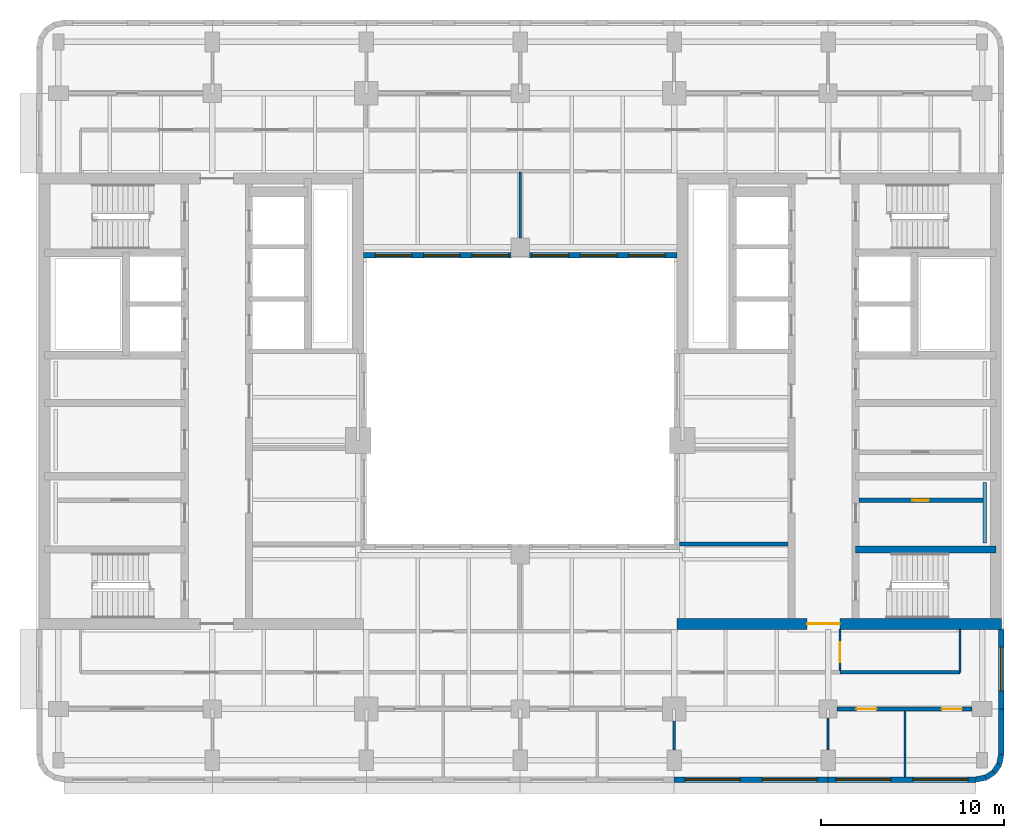
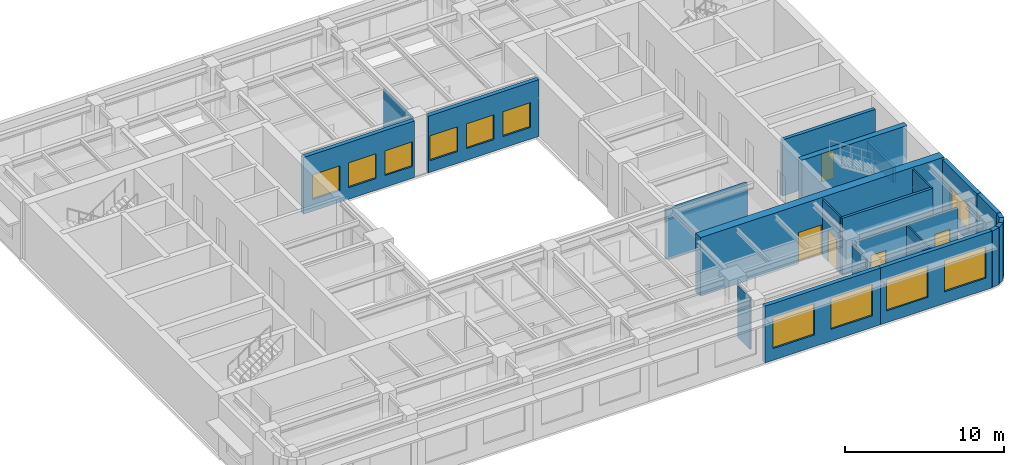
# One storey, part 5 of 11: 23 walls, 11 windows, 5 doors, 16 openings.
"""IFC4 building model written with IfcOpenShell, lengths in metres."""

from ifc_helpers import new_model, si_unit, direction, frame, frame_2d, origin, place, context, subcontext, project, spatial, rectangle, extrude, material, layer, layer_set, type_object, element, fill, save


model = new_model("IFC4")

# Units and contexts
model_context = context("Model", 3, precision=1e-05, world=origin(), true_north=direction((0.0, 1.0)))
body_context = subcontext(model_context, "Body", "Model", "MODEL_VIEW")
ifc_project = project(units=[si_unit("LENGTHUNIT", "METRE"), si_unit("AREAUNIT", "SQUARE_METRE"), si_unit("VOLUMEUNIT", "CUBIC_METRE"), si_unit("PLANEANGLEUNIT", "RADIAN"), si_unit("MASSUNIT", "GRAM", prefix="KILO")], contexts=[model_context])

# Site, building, storey
site_placement = place(None, origin())
site = spatial("IfcSite", under=ifc_project, at=site_placement, CompositionType="ELEMENT")
building_placement = place(site_placement, origin())
building = spatial("IfcBuilding", under=site, at=building_placement, Name="Claustro Exchange Tower", CompositionType="ELEMENT")
storey_placement = place(building_placement, frame((0.0, 0.0, 263.699951171875)))
storey = spatial("IfcBuildingStorey", under=building, at=storey_placement, Name="L60", CompositionType="ELEMENT", Elevation=263.699951171875)

# Walls
ifc_material_1 = material(Name="Laminated glass in aluminium frame", Category="aluminium")
ifc_layer_1 = layer(ifc_material_1, 0.1201171875)
ifc_layer_set_1 = layer_set([ifc_layer_1], Name="Laminated glass in aluminium frame")
wall_type_1 = type_object("IfcWallType", Name="P2 120 glazed partition", PredefinedType="PARTITIONING", material=ifc_layer_set_1)
wall_1_placement = place(storey_placement, frame((33.60009765625, 6.14892578125, 0.0), z_axis=(0.0, 0.0, 1.0), x_axis=(0.0, 1.0, 0.0)))
element("IfcWall", 1, at=wall_1_placement, inside=storey, type_object=wall_type_1, Name="Partition P2 L60", PredefinedType="PARTITIONING", context=body_context, shape_type="SweptSolid", body=[
    extrude(rectangle(XDim=1.60205078125, YDim=0.1201171875, at=frame_2d((0.801025390625, 0.0))), origin(), (0.0, 0.0, 1.0), 3.989990234375),
])
wall_2_placement = place(storey_placement, frame((42.0, 6.14892578125, 0.0), z_axis=(0.0, 0.0, 1.0), x_axis=(0.0, 1.0, 0.0)))
element("IfcWall", 2, at=wall_2_placement, inside=storey, type_object=wall_type_1, Name="Partition P2 L60", PredefinedType="PARTITIONING", context=body_context, shape_type="SweptSolid", body=[
    extrude(rectangle(XDim=1.751953125, YDim=0.1201171875, at=frame_2d((0.8759765625, 0.0))), origin(), (0.0, 0.0, 1.0), 3.989990234375),
])
wall_3_placement = place(storey_placement, frame((46.199951171875, 4.699951171875, 0.0), z_axis=(0.0, 0.0, 1.0), x_axis=(0.0, 1.0, 0.0)))
element("IfcWall", 3, at=wall_3_placement, inside=storey, type_object=wall_type_1, Name="Partition P2 L60", PredefinedType="PARTITIONING", context=body_context, shape_type="SweptSolid", body=[
    extrude(rectangle(XDim=3.60205078125, YDim=0.1201171875, at=frame_2d((1.801025390625, 0.0))), origin(), (0.0, 0.0, 1.0), 3.800048828125),
])

# Wall, opening, door
wall_4_placement = place(storey_placement, frame((42.64990234375, 10.498046875, 0.0), z_axis=(0.0, 0.0, 1.0), x_axis=(0.0, 1.0, 0.0)))
wall_4 = element("IfcWall", 4, at=wall_4_placement, inside=storey, type_object=wall_type_1, Name="Partition P2 L60", PredefinedType="PARTITIONING", context=body_context, shape_type="SweptSolid", body=[
    extrude(rectangle(XDim=2.25390625, YDim=0.1201171875, at=frame_2d((1.126953125, 0.0))), origin(), (0.0, 0.0, 1.0), 4.35009765625),
])
opening_1_placement = place(wall_4_placement, frame((0.451904296875, 0.0, 0.0)))
opening_1 = element("IfcOpeningElement", 5, at=opening_1_placement, cuts=wall_4, Name="Opening D8", PredefinedType="OPENING", context=body_context, shape_type="SweptSolid", body=[
    extrude(rectangle(XDim=1.10009765625, YDim=2.39990234375, at=frame_2d((0.550048828125, 1.199951171875))), frame((0.0, 0.070068359375, 0.0), z_axis=(0.0, -1.0, 0.0), x_axis=(1.0, 0.0, 0.0)), (0.0, 0.0, 1.0), 0.14013671875),
])
ifc_material_2 = material(Name="Timber door, walnut veneer", Category="wood")
door_type_1 = type_object("IfcDoorType", Name="D8 1100 x 2400 executive door", OperationType="SINGLE_SWING_LEFT", PredefinedType="DOOR", material=ifc_material_2)
door_1_placement = place(opening_1_placement, frame((1.10009765625, 0.0, 0.0), z_axis=(0.0, 0.0, 1.0), x_axis=(-1.0, 0.0, 0.0)))
door_1 = element("IfcDoor", 6, at=door_1_placement, inside=storey, type_object=door_type_1, Name="Door D8 L60", OperationType="SINGLE_SWING_RIGHT", OverallHeight=2.39990234375, OverallWidth=1.10009765625, PredefinedType="DOOR", context=body_context, shape_type="SweptSolid", body=[
    extrude(rectangle(XDim=1.10009765625, YDim=2.39990234375, at=frame_2d((0.550048828125, 1.199951171875))), frame((0.0, 0.02490234375, 0.0), z_axis=(0.0, -1.0, 0.0), x_axis=(1.0, 0.0, 0.0)), (0.0, 0.0, 1.0), 0.050048828125),
])
fill(opening_1, door_1)

# Walls
wall_5_placement = place(storey_placement, frame((49.199951171875, 10.39990234375, 0.0), z_axis=(0.0, 0.0, 1.0), x_axis=(0.0, 1.0, 0.0)))
element("IfcWall", 7, at=wall_5_placement, inside=storey, type_object=wall_type_1, Name="Partition P2 L60", PredefinedType="PARTITIONING", context=body_context, shape_type="SweptSolid", body=[
    extrude(rectangle(XDim=2.35205078125, YDim=0.1201171875, at=frame_2d((1.176025390625, 0.0))), origin(), (0.0, 0.0, 1.0), 4.35009765625),
])
wall_6_placement = place(storey_placement, frame((25.199951171875, 34.09912109375, 0.0), z_axis=(0.0, 0.0, 1.0), x_axis=(0.0, 1.0, 0.0)))
element("IfcWall", 8, at=wall_6_placement, inside=storey, type_object=wall_type_1, Name="Partition P2 L60", PredefinedType="PARTITIONING", context=body_context, shape_type="SweptSolid", body=[
    extrude(rectangle(XDim=3.602783203125, YDim=0.1201171875, at=frame_2d((1.80126953125, 0.0))), origin(), (0.0, 0.0, 1.0), 3.800048828125),
])
ifc_material_3 = material(Name="Twin-skin gypsum board on steel studs, mineral wool", Category="steel")
ifc_layer_2 = layer(ifc_material_3, 0.199951171875)
ifc_layer_set_2 = layer_set([ifc_layer_2], Name="Twin-skin gypsum board on steel studs, mineral wool")
wall_type_2 = type_object("IfcWallType", Name="P3 200 acoustic partition", PredefinedType="PARTITIONING", material=ifc_layer_set_2)
wall_7_placement = place(storey_placement, frame((33.89794921875, 17.39990234375, 0.0), z_axis=(0.0, 0.0, 1.0), x_axis=(1.0, 0.0, 0.0)))
element("IfcWall", 9, at=wall_7_placement, inside=storey, type_object=wall_type_2, Name="Partition P3 L60", PredefinedType="PARTITIONING", context=body_context, shape_type="SweptSolid", body=[
    extrude(rectangle(XDim=5.904052734375, YDim=0.199951171875, at=frame_2d((2.9521484375, 0.0))), origin(), (0.0, 0.0, 1.0), 3.800048828125),
])

# Wall, openings, doors
wall_8_placement = place(storey_placement, frame((42.4990234375, 8.39990234375, 0.0), z_axis=(0.0, 0.0, 1.0), x_axis=(1.0, 0.0, 0.0)))
wall_8 = element("IfcWall", 10, at=wall_8_placement, inside=storey, type_object=wall_type_2, Name="Partition P3 L60", PredefinedType="PARTITIONING", context=body_context, shape_type="SweptSolid", body=[
    extrude(rectangle(XDim=7.35205078125, YDim=0.199951171875, at=frame_2d((3.676025390625, 0.0))), origin(), (0.0, 0.0, 1.0), 3.800048828125),
])
opening_2_placement = place(wall_8_placement, frame((1.051025390625, 0.0, 0.0)))
opening_2 = element("IfcOpeningElement", 11, at=opening_2_placement, cuts=wall_8, Name="Opening D8", PredefinedType="OPENING", context=body_context, shape_type="SweptSolid", body=[
    extrude(rectangle(XDim=1.10009765625, YDim=2.39990234375, at=frame_2d((0.550048828125, 1.199951171875))), frame((0.0, 0.10986328125, 0.0), z_axis=(0.0, -1.0, 0.0), x_axis=(1.0, 0.0, 0.0)), (0.0, 0.0, 1.0), 0.219970703125),
])
opening_3_placement = place(wall_8_placement, frame((5.700927734375, 0.0, 0.0)))
opening_3 = element("IfcOpeningElement", 12, at=opening_3_placement, cuts=wall_8, Name="Opening D8", PredefinedType="OPENING", context=body_context, shape_type="SweptSolid", body=[
    extrude(rectangle(XDim=1.10009765625, YDim=2.39990234375, at=frame_2d((0.550048828125, 1.199951171875))), frame((0.0, 0.10986328125, 0.0), z_axis=(0.0, -1.0, 0.0), x_axis=(1.0, 0.0, 0.0)), (0.0, 0.0, 1.0), 0.219970703125),
])
door_2_placement = place(opening_2_placement, frame((1.10009765625, 0.0, 0.0), z_axis=(0.0, 0.0, 1.0), x_axis=(-1.0, 0.0, 0.0)))
door_2 = element("IfcDoor", 13, at=door_2_placement, inside=storey, type_object=door_type_1, Name="Door D8 L60", OperationType="SINGLE_SWING_LEFT", OverallHeight=2.39990234375, OverallWidth=1.10009765625, PredefinedType="DOOR", context=body_context, shape_type="SweptSolid", body=[
    extrude(rectangle(XDim=1.10009765625, YDim=2.39990234375, at=frame_2d((0.550048828125, 1.199951171875))), frame((0.0, 0.02490234375, 0.0), z_axis=(0.0, -1.0, 0.0), x_axis=(1.0, 0.0, 0.0)), (0.0, 0.0, 1.0), 0.050048828125),
])
fill(opening_2, door_2)
door_3_placement = place(opening_3_placement, frame((1.10009765625, 0.0, 0.0), z_axis=(0.0, 0.0, 1.0), x_axis=(-1.0, 0.0, 0.0)))
door_3 = element("IfcDoor", 14, at=door_3_placement, inside=storey, type_object=door_type_1, Name="Door D8 L60", OperationType="SINGLE_SWING_RIGHT", OverallHeight=2.39990234375, OverallWidth=1.10009765625, PredefinedType="DOOR", context=body_context, shape_type="SweptSolid", body=[
    extrude(rectangle(XDim=1.10009765625, YDim=2.39990234375, at=frame_2d((0.550048828125, 1.199951171875))), frame((0.0, 0.02490234375, 0.0), z_axis=(0.0, -1.0, 0.0), x_axis=(1.0, 0.0, 0.0)), (0.0, 0.0, 1.0), 0.050048828125),
])
fill(opening_3, door_3)

# Wall
wall_9_placement = place(storey_placement, frame((42.64794921875, 10.39990234375, 0.0), z_axis=(0.0, 0.0, 1.0), x_axis=(1.0, 0.0, 0.0)))
element("IfcWall", 15, at=wall_9_placement, inside=storey, type_object=wall_type_2, Name="Partition P3 L60", PredefinedType="PARTITIONING", context=body_context, shape_type="SweptSolid", body=[
    extrude(rectangle(XDim=6.552001953125, YDim=0.199951171875, at=frame_2d((3.27587890625, 0.0))), origin(), (0.0, 0.0, 1.0), 4.35009765625),
])

# Wall, opening, door
ifc_material_4 = material(Name="Concrete blockwork, rendered", Category="masonry")
ifc_layer_3 = layer(ifc_material_4, 0.25)
ifc_layer_set_3 = layer_set([ifc_layer_3], Name="Concrete blockwork, rendered")
wall_type_3 = type_object("IfcWallType", Name="P4 250 blockwork wall", PredefinedType="PARTITIONING", material=ifc_layer_set_3)
wall_10_placement = place(storey_placement, frame((43.699951171875, 19.800048828125, 0.0), z_axis=(0.0, 0.0, 1.0), x_axis=(1.0, 0.0, 0.0)))
wall_10 = element("IfcWall", 16, at=wall_10_placement, inside=storey, type_object=wall_type_3, Name="Partition P4 L60", PredefinedType="PARTITIONING", context=body_context, shape_type="SweptSolid", body=[
    extrude(rectangle(XDim=6.75, YDim=0.25, at=frame_2d((3.375, 0.0))), origin(), (0.0, 0.0, 1.0), 4.300048828125),
])
opening_4_placement = place(wall_10_placement, frame((2.89990234375, 0.0, 0.0)))
opening_4 = element("IfcOpeningElement", 17, at=opening_4_placement, cuts=wall_10, Name="Opening D5", PredefinedType="OPENING", context=body_context, shape_type="SweptSolid", body=[
    extrude(rectangle(XDim=0.89990234375, YDim=2.199951171875, at=frame_2d((0.449951171875, 1.10009765625))), frame((0.0, 0.135009765625, 0.0), z_axis=(0.0, -1.0, 0.0), x_axis=(1.0, 0.0, 0.0)), (0.0, 0.0, 1.0), 0.27001953125),
])
ifc_material_5 = material(Name="Steel door, painted", Category="steel")
door_type_2 = type_object("IfcDoorType", Name="D5 900 x 2200 store door", OperationType="SINGLE_SWING_LEFT", PredefinedType="DOOR", material=ifc_material_5)
door_4_placement = place(opening_4_placement, origin())
door_4 = element("IfcDoor", 18, at=door_4_placement, inside=storey, type_object=door_type_2, Name="Store door D5 L60", OperationType="SINGLE_SWING_RIGHT", OverallHeight=2.199951171875, OverallWidth=0.89990234375, PredefinedType="DOOR", context=body_context, shape_type="SweptSolid", body=[
    extrude(rectangle(XDim=0.89990234375, YDim=2.199951171875, at=frame_2d((0.449951171875, 1.10009765625))), frame((0.0, 0.02490234375, 0.0), z_axis=(0.0, -1.0, 0.0), x_axis=(1.0, 0.0, 0.0)), (0.0, 0.0, 1.0), 0.050048828125),
])
fill(opening_4, door_4)

# Wall, openings, windows
ifc_material_6 = material(Name="Concrete HA-40 (C40/50), precast, white cement, acid-etched", Category="concrete")
ifc_layer_4 = layer(ifc_material_6, 0.300048828125)
ifc_layer_set_4 = layer_set([ifc_layer_4], Name="Concrete HA-40 (C40/50), precast, white cement, acid-etched")
wall_type_4 = type_object("IfcWallType", Name="PC1 300 precast concrete pier panel", PredefinedType="SOLIDWALL", material=ifc_layer_set_4)
wall_11_placement = place(storey_placement, frame((50.085205078125, 4.550048828125, 0.0), z_axis=(0.0, 0.0, 1.0), x_axis=(-1.0, 0.0, 0.0)))
wall_11 = element("IfcWall", 19, at=wall_11_placement, inside=storey, type_object=wall_type_4, Name="Precast pier panel PC1 L60", PredefinedType="SOLIDWALL", context=body_context, shape_type="SweptSolid", body=[
    extrude(rectangle(XDim=8.085205078125, YDim=0.300048828125, at=frame_2d((4.04248046875, 0.0))), origin(), (0.0, 0.0, 1.0), 4.35009765625),
])
opening_5_placement = place(wall_11_placement, frame((0.442626953125, 0.0, 0.89990234375)))
opening_5 = element("IfcOpeningElement", 20, at=opening_5_placement, cuts=wall_11, Name="Opening W3", PredefinedType="OPENING", context=body_context, shape_type="SweptSolid", body=[
    extrude(rectangle(XDim=3.0, YDim=2.39990234375, at=frame_2d((1.5, 1.199951171875))), frame((0.0, 0.159912109375, 0.0), z_axis=(0.0, -1.0, 0.0), x_axis=(1.0, 0.0, 0.0)), (0.0, 0.0, 1.0), 0.320068359375),
])
opening_6_placement = place(wall_11_placement, frame((4.642578125, 0.0, 0.89990234375)))
opening_6 = element("IfcOpeningElement", 21, at=opening_6_placement, cuts=wall_11, Name="Opening W3", PredefinedType="OPENING", context=body_context, shape_type="SweptSolid", body=[
    extrude(rectangle(XDim=3.0, YDim=2.39990234375, at=frame_2d((1.5, 1.199951171875))), frame((0.0, 0.159912109375, 0.0), z_axis=(0.0, -1.0, 0.0), x_axis=(1.0, 0.0, 0.0)), (0.0, 0.0, 1.0), 0.320068359375),
])
ifc_material_7 = material(Name="Aluminium frame, clear double glazing", Category="aluminium")
window_type_1 = type_object("IfcWindowType", Name="W3 3000 x 2400 window", PartitioningType="SINGLE_PANEL", PredefinedType="WINDOW", material=ifc_material_7)
window_1_placement = place(opening_5_placement, origin())
window_1 = element("IfcWindow", 22, at=window_1_placement, inside=storey, type_object=window_type_1, Name="Window W3 L60", OverallHeight=2.39990234375, OverallWidth=3.0, PartitioningType="SINGLE_PANEL", PredefinedType="WINDOW", context=body_context, shape_type="SweptSolid", body=[
    extrude(rectangle(XDim=3.0, YDim=2.39990234375, at=frame_2d((1.5, 1.199951171875))), frame((0.0, 0.030029296875, 0.0), z_axis=(0.0, -1.0, 0.0), x_axis=(1.0, 0.0, 0.0)), (0.0, 0.0, 1.0), 0.06005859375),
])
fill(opening_5, window_1)
window_2_placement = place(opening_6_placement, origin())
window_2 = element("IfcWindow", 23, at=window_2_placement, inside=storey, type_object=window_type_1, Name="Window W3 L60", OverallHeight=2.39990234375, OverallWidth=3.0, PartitioningType="SINGLE_PANEL", PredefinedType="WINDOW", context=body_context, shape_type="SweptSolid", body=[
    extrude(rectangle(XDim=3.0, YDim=2.39990234375, at=frame_2d((1.5, 1.199951171875))), frame((0.0, 0.030029296875, 0.0), z_axis=(0.0, -1.0, 0.0), x_axis=(1.0, 0.0, 0.0)), (0.0, 0.0, 1.0), 0.06005859375),
])
fill(opening_6, window_2)

wall_12_placement = place(storey_placement, frame((42.0, 4.550048828125, 0.0), z_axis=(0.0, 0.0, 1.0), x_axis=(-1.0, 0.0, 0.0)))
wall_12 = element("IfcWall", 24, at=wall_12_placement, inside=storey, type_object=wall_type_4, Name="Precast pier panel PC1 L60", PredefinedType="SOLIDWALL", context=body_context, shape_type="SweptSolid", body=[
    extrude(rectangle(XDim=8.39990234375, YDim=0.300048828125, at=frame_2d((4.199951171875, 0.0))), origin(), (0.0, 0.0, 1.0), 4.35009765625),
])
opening_7_placement = place(wall_12_placement, frame((0.60009765625, 0.0, 0.89990234375)))
opening_7 = element("IfcOpeningElement", 25, at=opening_7_placement, cuts=wall_12, Name="Opening W3", PredefinedType="OPENING", context=body_context, shape_type="SweptSolid", body=[
    extrude(rectangle(XDim=3.0, YDim=2.39990234375, at=frame_2d((1.5, 1.199951171875))), frame((0.0, 0.159912109375, 0.0), z_axis=(0.0, -1.0, 0.0), x_axis=(1.0, 0.0, 0.0)), (0.0, 0.0, 1.0), 0.320068359375),
])
opening_8_placement = place(wall_12_placement, frame((4.800048828125, 0.0, 0.89990234375)))
opening_8 = element("IfcOpeningElement", 26, at=opening_8_placement, cuts=wall_12, Name="Opening W3", PredefinedType="OPENING", context=body_context, shape_type="SweptSolid", body=[
    extrude(rectangle(XDim=3.0, YDim=2.39990234375, at=frame_2d((1.5, 1.199951171875))), frame((0.0, 0.159912109375, 0.0), z_axis=(0.0, -1.0, 0.0), x_axis=(1.0, 0.0, 0.0)), (0.0, 0.0, 1.0), 0.320068359375),
])
window_3_placement = place(opening_7_placement, origin())
window_3 = element("IfcWindow", 27, at=window_3_placement, inside=storey, type_object=window_type_1, Name="Window W3 L60", OverallHeight=2.39990234375, OverallWidth=3.0, PartitioningType="SINGLE_PANEL", PredefinedType="WINDOW", context=body_context, shape_type="SweptSolid", body=[
    extrude(rectangle(XDim=3.0, YDim=2.39990234375, at=frame_2d((1.5, 1.199951171875))), frame((0.0, 0.030029296875, 0.0), z_axis=(0.0, -1.0, 0.0), x_axis=(1.0, 0.0, 0.0)), (0.0, 0.0, 1.0), 0.06005859375),
])
fill(opening_7, window_3)
window_4_placement = place(opening_8_placement, origin())
window_4 = element("IfcWindow", 28, at=window_4_placement, inside=storey, type_object=window_type_1, Name="Window W3 L60", OverallHeight=2.39990234375, OverallWidth=3.0, PartitioningType="SINGLE_PANEL", PredefinedType="WINDOW", context=body_context, shape_type="SweptSolid", body=[
    extrude(rectangle(XDim=3.0, YDim=2.39990234375, at=frame_2d((1.5, 1.199951171875))), frame((0.0, 0.030029296875, 0.0), z_axis=(0.0, -1.0, 0.0), x_axis=(1.0, 0.0, 0.0)), (0.0, 0.0, 1.0), 0.06005859375),
])
fill(opening_8, window_4)

# Wall, opening, window
wall_13_placement = place(storey_placement, frame((51.449951171875, 12.75, 0.0), z_axis=(0.0, 0.0, 1.0), x_axis=(0.0, -1.0, 0.0)))
wall_13 = element("IfcWall", 29, at=wall_13_placement, inside=storey, type_object=wall_type_4, Name="Precast pier panel PC1 L60", PredefinedType="SOLIDWALL", context=body_context, shape_type="SweptSolid", body=[
    extrude(rectangle(XDim=4.35009765625, YDim=0.300048828125, at=frame_2d((2.175048828125, 0.0))), origin(), (0.0, 0.0, 1.0), 4.35009765625),
])
opening_9_placement = place(wall_13_placement, frame((0.97509765625, 0.0, 0.89990234375)))
opening_9 = element("IfcOpeningElement", 30, at=opening_9_placement, cuts=wall_13, Name="Opening W2", PredefinedType="OPENING", context=body_context, shape_type="SweptSolid", body=[
    extrude(rectangle(XDim=2.39990234375, YDim=1.89990234375, at=frame_2d((1.199951171875, 0.949951171875))), frame((0.0, 0.159912109375, 0.0), z_axis=(0.0, -1.0, 0.0), x_axis=(1.0, 0.0, 0.0)), (0.0, 0.0, 1.0), 0.320068359375),
])
ifc_material_8 = material(Name="Aluminium frame, clear double glazing", Category="aluminium")
window_type_2 = type_object("IfcWindowType", Name="W2 2400 x 1900 window", PartitioningType="SINGLE_PANEL", PredefinedType="WINDOW", material=ifc_material_8)
window_5_placement = place(opening_9_placement, origin())
window_5 = element("IfcWindow", 31, at=window_5_placement, inside=storey, type_object=window_type_2, Name="Window W2 L60", OverallHeight=1.89990234375, OverallWidth=2.39990234375, PartitioningType="SINGLE_PANEL", PredefinedType="WINDOW", context=body_context, shape_type="SweptSolid", body=[
    extrude(rectangle(XDim=2.39990234375, YDim=1.89990234375, at=frame_2d((1.199951171875, 0.949951171875))), frame((0.0, 0.030029296875, 0.0), z_axis=(0.0, -1.0, 0.0), x_axis=(1.0, 0.0, 0.0)), (0.0, 0.0, 1.0), 0.06005859375),
])
fill(opening_9, window_5)

# Walls
wall_14_placement = place(storey_placement, frame((51.449951171875, 8.39990234375, 0.0), z_axis=(0.0, 0.0, 1.0), x_axis=(0.0, -1.0, 0.0)))
element("IfcWall", 32, at=wall_14_placement, inside=storey, type_object=wall_type_4, Name="Precast pier panel PC1 L60", PredefinedType="SOLIDWALL", context=body_context, shape_type="SweptSolid", body=[
    extrude(rectangle(XDim=2.485107421875, YDim=0.300048828125, at=frame_2d((1.24267578125, 0.0))), origin(), (0.0, 0.0, 1.0), 4.35009765625),
])
wall_15_placement = place(storey_placement, frame((51.449951171875, 5.914794921875, 0.0), z_axis=(0.0, 0.0, 1.0), x_axis=(-0.195073962632, -0.980788534345, 0.0)))
element("IfcWall", 33, at=wall_15_placement, inside=storey, type_object=wall_type_4, Name="Precast pier panel PC1 L60", PredefinedType="SOLIDWALL", context=body_context, shape_type="SweptSolid", body=[
    extrude(rectangle(XDim=0.540771484375, YDim=0.300048828125, at=frame_2d((0.2705078125, 0.0))), origin(), (0.0, 0.0, 1.0), 4.35009765625),
])
for number, where, z_axis, x_axis, name in (
    (34, (51.344482421875, 5.384521484375, 0.0), (0.0, 0.0, 1.0), (-0.555557463938, -0.831478144188, 0.0), "Precast pier panel PC1 L60"),
    (35, (51.052490234375, 4.947509765625, 0.0), (0.0, 0.0, 1.0), (-0.831478144188, -0.555557463938, 0.0), "Precast pier panel PC1 L60"),
):
    element("IfcWall", number, at=place(storey_placement, frame(where, z_axis=z_axis, x_axis=x_axis)), inside=storey, type_object=wall_type_4, Name=name, PredefinedType="SOLIDWALL", context=body_context, shape_type="SweptSolid", body=[
        extrude(rectangle(XDim=0.525634765625, YDim=0.300048828125, at=frame_2d((0.2626953125, 0.0))), origin(), (0.0, 0.0, 1.0), 4.35009765625),
    ])
wall_16_placement = place(storey_placement, frame((50.615478515625, 4.655517578125, 0.0), z_axis=(0.0, 0.0, 1.0), x_axis=(-0.980788534345, -0.195073962632, 0.0)))
element("IfcWall", 36, at=wall_16_placement, inside=storey, type_object=wall_type_4, Name="Precast pier panel PC1 L60", PredefinedType="SOLIDWALL", context=body_context, shape_type="SweptSolid", body=[
    extrude(rectangle(XDim=0.540771484375, YDim=0.300048828125, at=frame_2d((0.2705078125, 0.0))), origin(), (0.0, 0.0, 1.0), 4.35009765625),
])

# Wall, openings, windows
wall_17_placement = place(storey_placement, frame((16.64990234375, 33.14990234375, 0.0), z_axis=(0.0, 0.0, 1.0), x_axis=(1.0, 0.0, 0.0)))
wall_17 = element("IfcWall", 37, at=wall_17_placement, inside=storey, type_object=wall_type_4, Name="Precast pier panel PC1 L60", PredefinedType="SOLIDWALL", context=body_context, shape_type="SweptSolid", body=[
    extrude(rectangle(XDim=8.050048828125, YDim=0.300048828125, at=frame_2d((4.02490234375, 0.0))), origin(), (0.0, 0.0, 1.0), 4.35009765625),
])
opening_10_placement = place(wall_17_placement, frame((0.637451171875, 0.0, 0.89990234375)))
opening_10 = element("IfcOpeningElement", 38, at=opening_10_placement, cuts=wall_17, Name="Opening W4", PredefinedType="OPENING", context=body_context, shape_type="SweptSolid", body=[
    extrude(rectangle(XDim=2.0, YDim=1.89990234375, at=frame_2d((1.0, 0.949951171875))), frame((0.0, 0.159912109375, 0.0), z_axis=(0.0, -1.0, 0.0), x_axis=(1.0, 0.0, 0.0)), (0.0, 0.0, 1.0), 0.320068359375),
])
opening_11_placement = place(wall_17_placement, frame((3.27490234375, 0.0, 0.89990234375)))
opening_11 = element("IfcOpeningElement", 39, at=opening_11_placement, cuts=wall_17, Name="Opening W4", PredefinedType="OPENING", context=body_context, shape_type="SweptSolid", body=[
    extrude(rectangle(XDim=2.0, YDim=1.89990234375, at=frame_2d((1.0, 0.949951171875))), frame((0.0, 0.159912109375, 0.0), z_axis=(0.0, -1.0, 0.0), x_axis=(1.0, 0.0, 0.0)), (0.0, 0.0, 1.0), 0.320068359375),
])
opening_12_placement = place(wall_17_placement, frame((5.91259765625, 0.0, 0.89990234375)))
opening_12 = element("IfcOpeningElement", 40, at=opening_12_placement, cuts=wall_17, Name="Opening W4", PredefinedType="OPENING", context=body_context, shape_type="SweptSolid", body=[
    extrude(rectangle(XDim=2.0, YDim=1.89990234375, at=frame_2d((1.0, 0.949951171875))), frame((0.0, 0.159912109375, 0.0), z_axis=(0.0, -1.0, 0.0), x_axis=(1.0, 0.0, 0.0)), (0.0, 0.0, 1.0), 0.320068359375),
])
ifc_material_9 = material(Name="Aluminium frame, clear double glazing", Category="aluminium")
window_type_3 = type_object("IfcWindowType", Name="W4 2000 x 1900 light well window", PartitioningType="SINGLE_PANEL", PredefinedType="WINDOW", material=ifc_material_9)
window_6_placement = place(opening_10_placement, origin())
window_6 = element("IfcWindow", 41, at=window_6_placement, inside=storey, type_object=window_type_3, Name="Window W4 L60", OverallHeight=1.89990234375, OverallWidth=2.0, PartitioningType="SINGLE_PANEL", PredefinedType="WINDOW", context=body_context, shape_type="SweptSolid", body=[
    extrude(rectangle(XDim=2.0, YDim=1.89990234375, at=frame_2d((1.0, 0.949951171875))), frame((0.0, 0.030029296875, 0.0), z_axis=(0.0, -1.0, 0.0), x_axis=(1.0, 0.0, 0.0)), (0.0, 0.0, 1.0), 0.06005859375),
])
fill(opening_10, window_6)
window_7_placement = place(opening_11_placement, origin())
window_7 = element("IfcWindow", 42, at=window_7_placement, inside=storey, type_object=window_type_3, Name="Window W4 L60", OverallHeight=1.89990234375, OverallWidth=2.0, PartitioningType="SINGLE_PANEL", PredefinedType="WINDOW", context=body_context, shape_type="SweptSolid", body=[
    extrude(rectangle(XDim=2.0, YDim=1.89990234375, at=frame_2d((1.0, 0.949951171875))), frame((0.0, 0.030029296875, 0.0), z_axis=(0.0, -1.0, 0.0), x_axis=(1.0, 0.0, 0.0)), (0.0, 0.0, 1.0), 0.06005859375),
])
fill(opening_11, window_7)
window_8_placement = place(opening_12_placement, origin())
window_8 = element("IfcWindow", 43, at=window_8_placement, inside=storey, type_object=window_type_3, Name="Window W4 L60", OverallHeight=1.89990234375, OverallWidth=2.0, PartitioningType="SINGLE_PANEL", PredefinedType="WINDOW", context=body_context, shape_type="SweptSolid", body=[
    extrude(rectangle(XDim=2.0, YDim=1.89990234375, at=frame_2d((1.0, 0.949951171875))), frame((0.0, 0.030029296875, 0.0), z_axis=(0.0, -1.0, 0.0), x_axis=(1.0, 0.0, 0.0)), (0.0, 0.0, 1.0), 0.06005859375),
])
fill(opening_12, window_8)

wall_18_placement = place(storey_placement, frame((25.699951171875, 33.14990234375, 0.0), z_axis=(0.0, 0.0, 1.0), x_axis=(1.0, 0.0, 0.0)))
wall_18 = element("IfcWall", 44, at=wall_18_placement, inside=storey, type_object=wall_type_4, Name="Precast pier panel PC1 L60", PredefinedType="SOLIDWALL", context=body_context, shape_type="SweptSolid", body=[
    extrude(rectangle(XDim=8.050048828125, YDim=0.300048828125, at=frame_2d((4.02490234375, 0.0))), origin(), (0.0, 0.0, 1.0), 4.35009765625),
])
opening_13_placement = place(wall_18_placement, frame((0.137451171875, 0.0, 0.89990234375)))
opening_13 = element("IfcOpeningElement", 45, at=opening_13_placement, cuts=wall_18, Name="Opening W4", PredefinedType="OPENING", context=body_context, shape_type="SweptSolid", body=[
    extrude(rectangle(XDim=2.0, YDim=1.89990234375, at=frame_2d((1.0, 0.949951171875))), frame((0.0, 0.159912109375, 0.0), z_axis=(0.0, -1.0, 0.0), x_axis=(1.0, 0.0, 0.0)), (0.0, 0.0, 1.0), 0.320068359375),
])
opening_14_placement = place(wall_18_placement, frame((2.77490234375, 0.0, 0.89990234375)))
opening_14 = element("IfcOpeningElement", 46, at=opening_14_placement, cuts=wall_18, Name="Opening W4", PredefinedType="OPENING", context=body_context, shape_type="SweptSolid", body=[
    extrude(rectangle(XDim=2.0, YDim=1.89990234375, at=frame_2d((1.0, 0.949951171875))), frame((0.0, 0.159912109375, 0.0), z_axis=(0.0, -1.0, 0.0), x_axis=(1.0, 0.0, 0.0)), (0.0, 0.0, 1.0), 0.320068359375),
])
opening_15_placement = place(wall_18_placement, frame((5.41259765625, 0.0, 0.89990234375)))
opening_15 = element("IfcOpeningElement", 47, at=opening_15_placement, cuts=wall_18, Name="Opening W4", PredefinedType="OPENING", context=body_context, shape_type="SweptSolid", body=[
    extrude(rectangle(XDim=2.0, YDim=1.89990234375, at=frame_2d((1.0, 0.949951171875))), frame((0.0, 0.159912109375, 0.0), z_axis=(0.0, -1.0, 0.0), x_axis=(1.0, 0.0, 0.0)), (0.0, 0.0, 1.0), 0.320068359375),
])
window_9_placement = place(opening_13_placement, origin())
window_9 = element("IfcWindow", 48, at=window_9_placement, inside=storey, type_object=window_type_3, Name="Window W4 L60", OverallHeight=1.89990234375, OverallWidth=2.0, PartitioningType="SINGLE_PANEL", PredefinedType="WINDOW", context=body_context, shape_type="SweptSolid", body=[
    extrude(rectangle(XDim=2.0, YDim=1.89990234375, at=frame_2d((1.0, 0.949951171875))), frame((0.0, 0.030029296875, 0.0), z_axis=(0.0, -1.0, 0.0), x_axis=(1.0, 0.0, 0.0)), (0.0, 0.0, 1.0), 0.06005859375),
])
fill(opening_13, window_9)
window_10_placement = place(opening_14_placement, origin())
window_10 = element("IfcWindow", 49, at=window_10_placement, inside=storey, type_object=window_type_3, Name="Window W4 L60", OverallHeight=1.89990234375, OverallWidth=2.0, PartitioningType="SINGLE_PANEL", PredefinedType="WINDOW", context=body_context, shape_type="SweptSolid", body=[
    extrude(rectangle(XDim=2.0, YDim=1.89990234375, at=frame_2d((1.0, 0.949951171875))), frame((0.0, 0.030029296875, 0.0), z_axis=(0.0, -1.0, 0.0), x_axis=(1.0, 0.0, 0.0)), (0.0, 0.0, 1.0), 0.06005859375),
])
fill(opening_14, window_10)
window_11_placement = place(opening_15_placement, origin())
window_11 = element("IfcWindow", 50, at=window_11_placement, inside=storey, type_object=window_type_3, Name="Window W4 L60", OverallHeight=1.89990234375, OverallWidth=2.0, PartitioningType="SINGLE_PANEL", PredefinedType="WINDOW", context=body_context, shape_type="SweptSolid", body=[
    extrude(rectangle(XDim=2.0, YDim=1.89990234375, at=frame_2d((1.0, 0.949951171875))), frame((0.0, 0.030029296875, 0.0), z_axis=(0.0, -1.0, 0.0), x_axis=(1.0, 0.0, 0.0)), (0.0, 0.0, 1.0), 0.06005859375),
])
fill(opening_15, window_11)

# Wall
ifc_material_10 = material(Name="Gypsum board on steel studs, tiled", Category="steel")
ifc_layer_5 = layer(ifc_material_10, 0.199951171875)
ifc_layer_set_5 = layer_set([ifc_layer_5], Name="Gypsum board on steel studs, tiled")
wall_type_5 = type_object("IfcWallType", Name="PW1 200 WC duct wall", PredefinedType="PLUMBINGWALL", material=ifc_layer_set_5)
wall_19_placement = place(storey_placement, frame((50.550048828125, 17.449951171875, 0.0), z_axis=(0.0, 0.0, 1.0), x_axis=(0.0, 1.0, 0.0)))
element("IfcWall", 51, at=wall_19_placement, inside=storey, type_object=wall_type_5, Name="WC duct wall PW1 L60", PredefinedType="PLUMBINGWALL", context=body_context, shape_type="SweptSolid", body=[
    extrude(rectangle(XDim=3.300048828125, YDim=0.199951171875, at=frame_2d((1.64990234375, 0.0))), origin(), (0.0, 0.0, 1.0), 1.199951171875),
])

# Wall, opening, door
ifc_material_11 = material(Name="Concrete HA-50 (C50/60)", Category="concrete")
ifc_layer_6 = layer(ifc_material_11, 0.60009765625)
ifc_layer_set_6 = layer_set([ifc_layer_6], Name="Concrete HA-50 (C50/60)")
wall_type_6 = type_object("IfcWallType", Name="SW3 600 core shear wall", PredefinedType="SHEAR", material=ifc_layer_set_6)
wall_20_placement = place(storey_placement, frame((33.75, 13.050048828125, 0.0), z_axis=(0.0, 0.0, 1.0), x_axis=(1.0, 0.0, 0.0)))
wall_20 = element("IfcWall", 52, at=wall_20_placement, inside=storey, type_object=wall_type_6, Name="Core wall SW3 E core S face L60", PredefinedType="SHEAR", context=body_context, shape_type="SweptSolid", body=[
    extrude(rectangle(XDim=17.699951171875, YDim=0.60009765625, at=frame_2d((8.85009765625, 0.0))), origin(), (0.0, 0.0, 1.0), 4.5),
])
opening_16_placement = place(wall_20_placement, frame((7.10009765625, 0.0, 0.0)))
opening_16 = element("IfcOpeningElement", 53, at=opening_16_placement, cuts=wall_20, Name="Opening D3", PredefinedType="OPENING", context=body_context, shape_type="SweptSolid", body=[
    extrude(rectangle(XDim=1.800048828125, YDim=2.39990234375, at=frame_2d((0.89990234375, 1.199951171875))), frame((0.0, 0.31005859375, 0.0), z_axis=(0.0, -1.0, 0.0), x_axis=(1.0, 0.0, 0.0)), (0.0, 0.0, 1.0), 0.6201171875),
])
ifc_material_12 = material(Name="Steel fire door, painted", Category="steel")
door_type_3 = type_object("IfcDoorType", Name="D3 1800 x 2400 fire-rated lobby double door", OperationType="DOUBLE_DOOR_SINGLE_SWING", PredefinedType="DOOR", material=ifc_material_12)
door_5_placement = place(opening_16_placement, origin())
door_5 = element("IfcDoor", 54, at=door_5_placement, inside=storey, type_object=door_type_3, Name="Lift lobby door D3 L60", OperationType="DOUBLE_DOOR_SINGLE_SWING", OverallHeight=2.39990234375, OverallWidth=1.800048828125, PredefinedType="DOOR", context=body_context, shape_type="SweptSolid", body=[
    extrude(rectangle(XDim=1.800048828125, YDim=2.39990234375, at=frame_2d((0.89990234375, 1.199951171875))), frame((0.0, 0.02490234375, 0.0), z_axis=(0.0, -1.0, 0.0), x_axis=(1.0, 0.0, 0.0)), (0.0, 0.0, 1.0), 0.050048828125),
])
fill(opening_16, door_5)

# Wall
ifc_material_13 = material(Name="Concrete HA-50 (C50/60)", Category="concrete")
ifc_layer_7 = layer(ifc_material_13, 0.39990234375)
ifc_layer_set_7 = layer_set([ifc_layer_7], Name="Concrete HA-50 (C50/60)")
wall_type_7 = type_object("IfcWallType", Name="SW4 400 internal core wall", PredefinedType="SHEAR", material=ifc_layer_set_7)
wall_21_placement = place(storey_placement, frame((51.14990234375, 17.10009765625, 0.0), z_axis=(0.0, 0.0, 1.0), x_axis=(-1.0, 0.0, 0.0)))
element("IfcWall", 55, at=wall_21_placement, inside=storey, type_object=wall_type_7, Name="Internal core wall SW4 E core L60", PredefinedType="SHEAR", context=body_context, shape_type="SweptSolid", body=[
    extrude(rectangle(XDim=7.64990234375, YDim=0.39990234375, at=frame_2d((3.824951171875, 0.0))), origin(), (0.0, 0.0, 1.0), 4.5),
])

save(model, "model.ifc")
